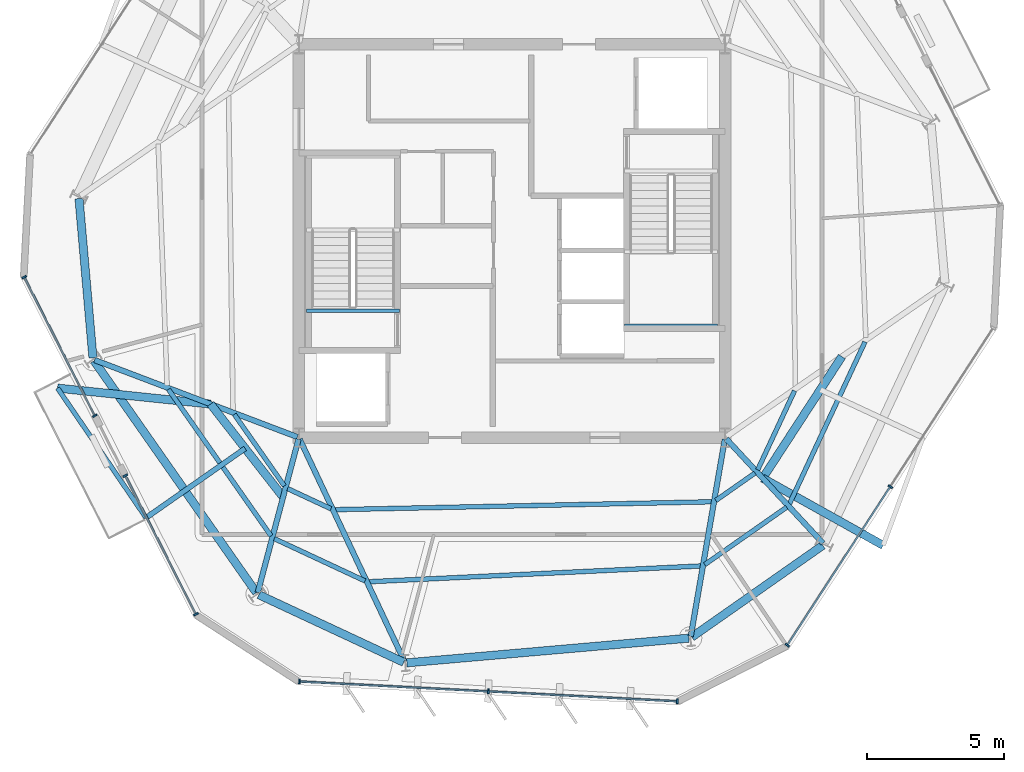
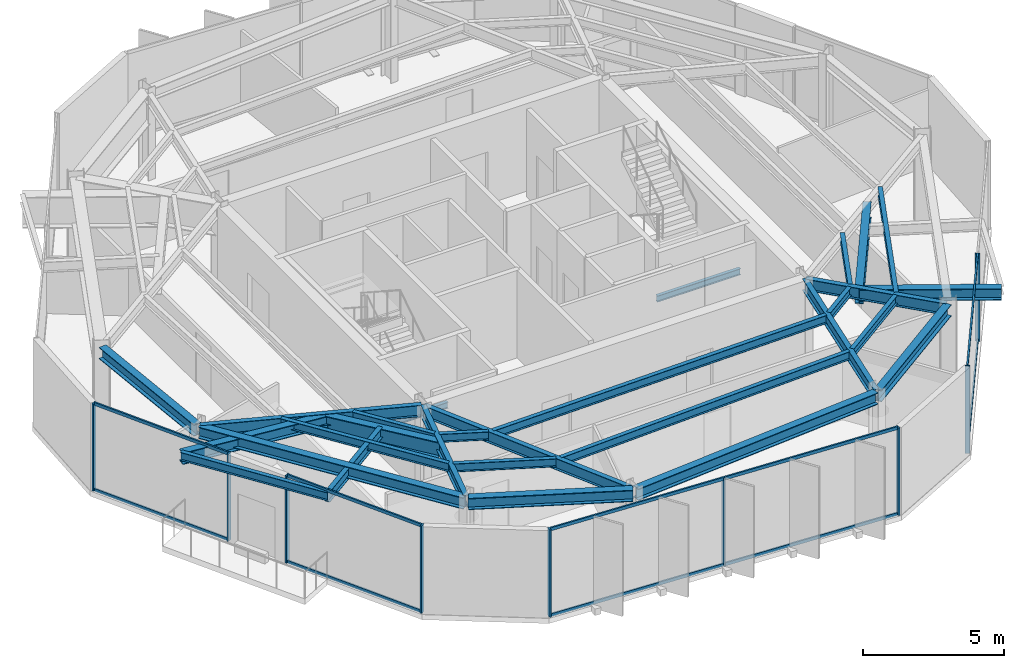
# One storey, part 2 of 11: 28 beams, 19 members, 4 elements without a shape of their own.
"""IFC4 building model written with IfcOpenShell, lengths in metres."""

from ifc_helpers import new_model, si_unit, direction, frame, origin, origin_2d, place, context, subcontext, project, spatial, rectangle, i_section, extrude, material, layer, layer_set, material_profile, profile_set, type_object, element, aggregate, save


model = new_model("IFC4")

# Units and contexts
model_context = context("Model", 3, precision=1e-05, world=origin(), true_north=direction((0.0, 1.0)))
body_context = subcontext(model_context, "Body", "Model", "MODEL_VIEW")
ifc_project = project(units=[si_unit("LENGTHUNIT", "METRE"), si_unit("AREAUNIT", "SQUARE_METRE"), si_unit("VOLUMEUNIT", "CUBIC_METRE"), si_unit("PLANEANGLEUNIT", "RADIAN"), si_unit("MASSUNIT", "GRAM", prefix="KILO")], contexts=[model_context])

# Site, building, storey
site_placement = place(None, origin())
site = spatial("IfcSite", under=ifc_project, at=site_placement, CompositionType="ELEMENT")
building_placement = place(site_placement, origin())
building = spatial("IfcBuilding", under=site, at=building_placement, Name="Kranzbogen Civic Tower", CompositionType="ELEMENT")
storey_placement = place(building_placement, frame((0.0, 0.0, 254.199951171875)))
storey = spatial("IfcBuildingStorey", under=building, at=storey_placement, Name="L61", CompositionType="ELEMENT", Elevation=254.199951171875)

# Beam
ifc_material_1 = material(Name="Steel S355", Category="steel")
ifc_material_profile_1 = material_profile(ifc_material_1, i_section(OverallWidth=0.18994140625, OverallDepth=0.449951171875, WebThickness=0.009521484375, FlangeThickness=0.0146484375, at=origin_2d()), Name="IPE 450")
ifc_profile_set_1 = profile_set([ifc_material_profile_1], Name="Steel S355")
beam_type_1 = type_object("IfcBeamType", Name="Braced Terrace Edge Beam IPE 450", PredefinedType="BEAM", material=ifc_profile_set_1)
beam_1_placement = place(storey_placement, frame((15.23193359375, 17.405029296875, 3.4951171875), z_axis=(-0.819180120445, -0.573536337356, 0.0), x_axis=(0.573536337356, -0.819180120445, 0.0)))
element("IfcBeam", 1, at=beam_1_placement, inside=storey, type_object=beam_type_1, Name="L62 back-spanned terrace beam L62-ST-2", PredefinedType="BEAM", context=body_context, shape_type="SweptSolid", body=[
    extrude(i_section(OverallWidth=0.18994140625, OverallDepth=0.449951171875, WebThickness=0.009521484375, FlangeThickness=0.0146484375, at=origin_2d()), origin(), (0.0, 0.0, 1.0), 4.4287109375),
])

# Curtain wall, members
ifc_material_2 = material(Name="Pale Anodised Aluminium", Category="aluminium")
ifc_layer = layer(ifc_material_2, 0.219970703125, Name="Pale Anodised Aluminium")
ifc_layer_set = layer_set([ifc_layer], Name="Pale Anodised Aluminium")
curtain_wall_type = type_object("IfcCurtainWallType", Name="Zone 4 Stick Curtain Wall System CW-05", PredefinedType="USERDEFINED", material=ifc_layer_set)
curtain_wall_1_placement = place(storey_placement, origin())
curtain_wall_1 = element("IfcCurtainWall", 2, at=curtain_wall_1_placement, inside=storey, type_object=curtain_wall_type, Name="L61 curtain wall CW-L61-F3-S1", ObjectType="STICK CURTAIN WALL", PredefinedType="USERDEFINED")
ifc_material_profile_2 = material_profile(ifc_material_2, rectangle(XDim=0.06494140625, YDim=0.179931640625, at=origin_2d()), Name="ALU-M 65x180")
ifc_profile_set_2 = profile_set([ifc_material_profile_2], Name="Pale Anodised Aluminium")
member_type_1 = type_object("IfcMemberType", Name="Curtain Wall Mullion ALU-M 65x180", PredefinedType="MULLION", material=ifc_profile_set_2)
member_1_placement = place(storey_placement, frame((7.1435546875, 23.67431640625, 0.0), z_axis=(0.0, 0.0, 1.0), x_axis=(0.454011672668, -0.890995735726, 0.0)))
member_1 = element("IfcMember", 3, at=member_1_placement, type_object=member_type_1, Name="CW-05 mullion 1", PredefinedType="MULLION", context=body_context, shape_type="SweptSolid", body=[
    extrude(rectangle(XDim=0.06494140625, YDim=0.179931640625, at=origin_2d()), origin(), (0.0, 0.0, 1.0), 3.780029296875),
])
member_2_placement = place(storey_placement, frame((9.7294921875, 18.599609375, 0.0), z_axis=(0.0, 0.0, 1.0), x_axis=(0.454011672668, -0.890995735726, 0.0)))
member_2 = element("IfcMember", 4, at=member_2_placement, type_object=member_type_1, Name="CW-05 mullion 2", PredefinedType="MULLION", context=body_context, shape_type="SweptSolid", body=[
    extrude(rectangle(XDim=0.06494140625, YDim=0.179931640625, at=origin_2d()), origin(), (0.0, 0.0, 1.0), 3.780029296875),
])

curtain_wall_2_placement = place(storey_placement, origin())
curtain_wall_2 = element("IfcCurtainWall", 5, at=curtain_wall_2_placement, inside=storey, type_object=curtain_wall_type, Name="L61 curtain wall CW-L61-F3-S2", ObjectType="STICK CURTAIN WALL", PredefinedType="USERDEFINED")
member_3_placement = place(storey_placement, frame((10.845703125, 16.408203125, 0.0), z_axis=(0.0, 0.0, 1.0), x_axis=(0.453941395905, -0.891031542138, 0.0)))
member_3 = element("IfcMember", 6, at=member_3_placement, type_object=member_type_1, Name="CW-05 mullion 1", PredefinedType="MULLION", context=body_context, shape_type="SweptSolid", body=[
    extrude(rectangle(XDim=0.06494140625, YDim=0.179931640625, at=origin_2d()), origin(), (0.0, 0.0, 1.0), 3.780029296875),
])
member_4_placement = place(storey_placement, frame((13.431396484375, 11.332763671875, 0.0), z_axis=(0.0, 0.0, 1.0), x_axis=(0.453941395905, -0.891031542138, 0.0)))
member_4 = element("IfcMember", 7, at=member_4_placement, type_object=member_type_1, Name="CW-05 mullion 2", PredefinedType="MULLION", context=body_context, shape_type="SweptSolid", body=[
    extrude(rectangle(XDim=0.06494140625, YDim=0.179931640625, at=origin_2d()), origin(), (0.0, 0.0, 1.0), 3.780029296875),
])

curtain_wall_3_placement = place(storey_placement, origin())
curtain_wall_3 = element("IfcCurtainWall", 8, at=curtain_wall_3_placement, inside=storey, type_object=curtain_wall_type, Name="L61 curtain wall CW-L61-F4", ObjectType="STICK CURTAIN WALL", PredefinedType="USERDEFINED")
member_5_placement = place(storey_placement, frame((17.219970703125, 8.872314453125, 0.0), z_axis=(0.0, 0.0, 1.0), x_axis=(0.998629521461, -0.052336209893, 0.0)))
member_5 = element("IfcMember", 9, at=member_5_placement, type_object=member_type_1, Name="CW-05 mullion 1", PredefinedType="MULLION", context=body_context, shape_type="SweptSolid", body=[
    extrude(rectangle(XDim=0.06494140625, YDim=0.179931640625, at=origin_2d()), origin(), (0.0, 0.0, 1.0), 3.780029296875),
])
member_6_placement = place(storey_placement, frame((24.135498046875, 8.510009765625, 0.0), z_axis=(0.0, 0.0, 1.0), x_axis=(0.998629521461, -0.052336209893, 0.0)))
member_6 = element("IfcMember", 10, at=member_6_placement, type_object=member_type_1, Name="CW-05 mullion 2", PredefinedType="MULLION", context=body_context, shape_type="SweptSolid", body=[
    extrude(rectangle(XDim=0.06494140625, YDim=0.179931640625, at=origin_2d()), origin(), (0.0, 0.0, 1.0), 3.780029296875),
])
member_7_placement = place(storey_placement, frame((31.051025390625, 8.1474609375, 0.0), z_axis=(0.0, 0.0, 1.0), x_axis=(0.998629521461, -0.052336209893, 0.0)))
member_7 = element("IfcMember", 11, at=member_7_placement, type_object=member_type_1, Name="CW-05 mullion 3", PredefinedType="MULLION", context=body_context, shape_type="SweptSolid", body=[
    extrude(rectangle(XDim=0.06494140625, YDim=0.179931640625, at=origin_2d()), origin(), (0.0, 0.0, 1.0), 3.780029296875),
])

curtain_wall_4_placement = place(storey_placement, origin())
curtain_wall_4 = element("IfcCurtainWall", 12, at=curtain_wall_4_placement, inside=storey, type_object=curtain_wall_type, Name="L61 curtain wall CW-L61-F5", ObjectType="STICK CURTAIN WALL", PredefinedType="USERDEFINED")
member_8_placement = place(storey_placement, frame((35.076416015625, 10.1982421875, 0.0), z_axis=(0.0, 0.0, 1.0), x_axis=(0.544657317977, 0.838658694568, 0.0)))
member_8 = element("IfcMember", 13, at=member_8_placement, type_object=member_type_1, Name="CW-05 mullion 1", PredefinedType="MULLION", context=body_context, shape_type="SweptSolid", body=[
    extrude(rectangle(XDim=0.06494140625, YDim=0.179931640625, at=origin_2d()), origin(), (0.0, 0.0, 1.0), 3.780029296875),
])
member_9_placement = place(storey_placement, frame((38.848388671875, 16.006591796875, 0.0), z_axis=(0.0, 0.0, 1.0), x_axis=(0.544657317977, 0.838658694568, 0.0)))
member_9 = element("IfcMember", 14, at=member_9_placement, type_object=member_type_1, Name="CW-05 mullion 2", PredefinedType="MULLION", context=body_context, shape_type="SweptSolid", body=[
    extrude(rectangle(XDim=0.06494140625, YDim=0.179931640625, at=origin_2d()), origin(), (0.0, 0.0, 1.0), 3.780029296875),
])

# Member
ifc_material_profile_3 = material_profile(ifc_material_2, rectangle(XDim=0.06494140625, YDim=0.135009765625, at=origin_2d()), Name="ALU-T 65x135")
ifc_profile_set_3 = profile_set([ifc_material_profile_3], Name="Pale Anodised Aluminium")
member_type_2 = type_object("IfcMemberType", Name="Curtain Wall Transom ALU-T 65x135", PredefinedType="USERDEFINED", material=ifc_profile_set_3)
member_10_placement = place(storey_placement, frame((7.1572265625, 23.6474609375, 0.030029296875), z_axis=(0.454028319233, -0.890987253183, 0.0), x_axis=(0.890987253183, 0.454028319233, 0.0)))
member_10 = element("IfcMember", 15, at=member_10_placement, type_object=member_type_2, Name="CW-05 transom 1.1", ObjectType="TRANSOM", PredefinedType="USERDEFINED", context=body_context, shape_type="SweptSolid", body=[
    extrude(rectangle(XDim=0.06494140625, YDim=0.135009765625, at=origin_2d()), origin(), (0.0, 0.0, 1.0), 5.63525390625),
])

member_11_placement = place(storey_placement, frame((7.1572265625, 23.6474609375, 3.75), z_axis=(0.454028319233, -0.890987253183, 0.0), x_axis=(0.890987253183, 0.454028319233, 0.0)))
member_11 = element("IfcMember", 16, at=member_11_placement, type_object=member_type_2, Name="CW-05 transom 1.2", ObjectType="TRANSOM", PredefinedType="USERDEFINED", context=body_context, shape_type="SweptSolid", body=[
    extrude(rectangle(XDim=0.06494140625, YDim=0.135009765625, at=origin_2d()), origin(), (0.0, 0.0, 1.0), 5.63525390625),
])

aggregate(curtain_wall_1, [member_1, member_2, member_10, member_11])

member_12_placement = place(storey_placement, frame((10.859130859375, 16.381591796875, 0.030029296875), z_axis=(0.453940705303, -0.891031893968, 0.0), x_axis=(0.891031893968, 0.453940705303, 0.0)))
member_12 = element("IfcMember", 17, at=member_12_placement, type_object=member_type_2, Name="CW-05 transom 1.1", ObjectType="TRANSOM", PredefinedType="USERDEFINED", context=body_context, shape_type="SweptSolid", body=[
    extrude(rectangle(XDim=0.06494140625, YDim=0.135009765625, at=origin_2d()), origin(), (0.0, 0.0, 1.0), 5.636474609375),
])

member_13_placement = place(storey_placement, frame((10.859130859375, 16.381591796875, 3.75), z_axis=(0.453940705303, -0.891031893968, 0.0), x_axis=(0.891031893968, 0.453940705303, 0.0)))
member_13 = element("IfcMember", 18, at=member_13_placement, type_object=member_type_2, Name="CW-05 transom 1.2", ObjectType="TRANSOM", PredefinedType="USERDEFINED", context=body_context, shape_type="SweptSolid", body=[
    extrude(rectangle(XDim=0.06494140625, YDim=0.135009765625, at=origin_2d()), origin(), (0.0, 0.0, 1.0), 5.636474609375),
])

aggregate(curtain_wall_2, [member_3, member_4, member_12, member_13])

member_14_placement = place(storey_placement, frame((17.25, 8.870849609375, 0.030029296875), z_axis=(0.998628810584, -0.052349772407, 0.0), x_axis=(0.052349772407, 0.998628810584, 0.0)))
member_14 = element("IfcMember", 19, at=member_14_placement, type_object=member_type_2, Name="CW-05 transom 1.1", ObjectType="TRANSOM", PredefinedType="USERDEFINED", context=body_context, shape_type="SweptSolid", body=[
    extrude(rectangle(XDim=0.06494140625, YDim=0.135009765625, at=origin_2d()), origin(), (0.0, 0.0, 1.0), 6.864990234375),
])

member_15_placement = place(storey_placement, frame((17.25, 8.870849609375, 3.75), z_axis=(0.998628810584, -0.052349772407, 0.0), x_axis=(0.052349772407, 0.998628810584, 0.0)))
member_15 = element("IfcMember", 20, at=member_15_placement, type_object=member_type_2, Name="CW-05 transom 1.2", ObjectType="TRANSOM", PredefinedType="USERDEFINED", context=body_context, shape_type="SweptSolid", body=[
    extrude(rectangle(XDim=0.06494140625, YDim=0.135009765625, at=origin_2d()), origin(), (0.0, 0.0, 1.0), 6.864990234375),
])

member_16_placement = place(storey_placement, frame((24.16552734375, 8.508544921875, 0.030029296875), z_axis=(0.998628810584, -0.052349772407, 0.0), x_axis=(0.052349772407, 0.998628810584, 0.0)))
member_16 = element("IfcMember", 21, at=member_16_placement, type_object=member_type_2, Name="CW-05 transom 2.1", ObjectType="TRANSOM", PredefinedType="USERDEFINED", context=body_context, shape_type="SweptSolid", body=[
    extrude(rectangle(XDim=0.06494140625, YDim=0.135009765625, at=origin_2d()), origin(), (0.0, 0.0, 1.0), 6.864990234375),
])

member_17_placement = place(storey_placement, frame((24.16552734375, 8.508544921875, 3.75), z_axis=(0.998628810584, -0.052349772407, 0.0), x_axis=(0.052349772407, 0.998628810584, 0.0)))
member_17 = element("IfcMember", 22, at=member_17_placement, type_object=member_type_2, Name="CW-05 transom 2.2", ObjectType="TRANSOM", PredefinedType="USERDEFINED", context=body_context, shape_type="SweptSolid", body=[
    extrude(rectangle(XDim=0.06494140625, YDim=0.135009765625, at=origin_2d()), origin(), (0.0, 0.0, 1.0), 6.864990234375),
])

aggregate(curtain_wall_3, [member_5, member_6, member_7, member_14, member_15, member_16, member_17])

member_18_placement = place(storey_placement, frame((35.0927734375, 10.223388671875, 0.030029296875), z_axis=(0.544657090741, 0.838658842144, 0.0), x_axis=(-0.838658842144, 0.544657090741, 0.0)))
member_18 = element("IfcMember", 23, at=member_18_placement, type_object=member_type_2, Name="CW-05 transom 1.1", ObjectType="TRANSOM", PredefinedType="USERDEFINED", context=body_context, shape_type="SweptSolid", body=[
    extrude(rectangle(XDim=0.06494140625, YDim=0.135009765625, at=origin_2d()), origin(), (0.0, 0.0, 1.0), 6.86572265625),
])

member_19_placement = place(storey_placement, frame((35.0927734375, 10.223388671875, 3.75), z_axis=(0.544657090741, 0.838658842144, 0.0), x_axis=(-0.838658842144, 0.544657090741, 0.0)))
member_19 = element("IfcMember", 24, at=member_19_placement, type_object=member_type_2, Name="CW-05 transom 1.2", ObjectType="TRANSOM", PredefinedType="USERDEFINED", context=body_context, shape_type="SweptSolid", body=[
    extrude(rectangle(XDim=0.06494140625, YDim=0.135009765625, at=origin_2d()), origin(), (0.0, 0.0, 1.0), 6.86572265625),
])

aggregate(curtain_wall_4, [member_8, member_9, member_18, member_19])

# Beams
ifc_material_profile_4 = material_profile(ifc_material_1, i_section(OverallWidth=0.300048828125, OverallDepth=0.5, WebThickness=0.014404296875, FlangeThickness=0.028076171875, at=origin_2d()), Name="HEB 500")
ifc_profile_set_4 = profile_set([ifc_material_profile_4], Name="Steel S355")
beam_type_2 = type_object("IfcBeamType", Name="Perimeter Tube Spandrel Beam HEB 500", PredefinedType="SPANDREL", material=ifc_profile_set_4)
beam_2_placement = place(storey_placement, frame((9.699951171875, 20.612060546875, 3.530029296875), z_axis=(0.573577759301, -0.819151117948, 0.0), x_axis=(0.819151117948, 0.573577759301, 0.0)))
element("IfcBeam", 25, at=beam_2_placement, inside=storey, type_object=beam_type_2, Name="L61 perimeter spandrel beam 01", PredefinedType="SPANDREL", context=body_context, shape_type="SweptSolid", body=[
    extrude(i_section(OverallWidth=0.300048828125, OverallDepth=0.5, WebThickness=0.014404296875, FlangeThickness=0.028076171875, at=origin_2d()), origin(), (0.0, 0.0, 1.0), 10.36328125),
])
beam_3_placement = place(storey_placement, frame((15.73193359375, 12.049072265625, 3.530029296875), z_axis=(0.906289661556, -0.422657129784, 0.0), x_axis=(0.422657129784, 0.906289661556, 0.0)))
element("IfcBeam", 26, at=beam_3_placement, inside=storey, type_object=beam_type_2, Name="L61 perimeter spandrel beam 02", PredefinedType="SPANDREL", context=body_context, shape_type="SweptSolid", body=[
    extrude(i_section(OverallWidth=0.300048828125, OverallDepth=0.5, WebThickness=0.014404296875, FlangeThickness=0.028076171875, at=origin_2d()), origin(), (0.0, 0.0, 1.0), 5.853759765625),
])
beam_4_placement = place(storey_placement, frame((21.15087890625, 9.554931640625, 3.530029296875), z_axis=(0.996186373839, 0.087250837114, 0.0), x_axis=(-0.087250837114, 0.996186373839, 0.0)))
element("IfcBeam", 27, at=beam_4_placement, inside=storey, type_object=beam_type_2, Name="L61 perimeter spandrel beam 03", PredefinedType="SPANDREL", context=body_context, shape_type="SweptSolid", body=[
    extrude(i_section(OverallWidth=0.300048828125, OverallDepth=0.5, WebThickness=0.014404296875, FlangeThickness=0.028076171875, at=origin_2d()), origin(), (0.0, 0.0, 1.0), 10.361572265625),
])
beam_5_placement = place(storey_placement, frame((31.58203125, 10.498046875, 3.530029296875), z_axis=(0.819059436004, 0.57370867197, 0.0), x_axis=(-0.57370867197, 0.819059436004, 0.0)))
element("IfcBeam", 28, at=beam_5_placement, inside=storey, type_object=beam_type_2, Name="L61 perimeter spandrel beam 04", PredefinedType="SPANDREL", context=body_context, shape_type="SweptSolid", body=[
    extrude(i_section(OverallWidth=0.300048828125, OverallDepth=0.5, WebThickness=0.014404296875, FlangeThickness=0.028076171875, at=origin_2d()), origin(), (0.0, 0.0, 1.0), 5.85302734375),
])
beam_6_placement = place(storey_placement, frame((9.14990234375, 26.550048828125, 3.530029296875), z_axis=(0.087326362434, -0.99617975608, 0.0), x_axis=(0.99617975608, 0.087326362434, 0.0)))
element("IfcBeam", 29, at=beam_6_placement, inside=storey, type_object=beam_type_2, Name="L61 perimeter spandrel beam 12", PredefinedType="SPANDREL", context=body_context, shape_type="SweptSolid", body=[
    extrude(i_section(OverallWidth=0.300048828125, OverallDepth=0.5, WebThickness=0.014404296875, FlangeThickness=0.028076171875, at=origin_2d()), origin(), (0.0, 0.0, 1.0), 5.8515625),
])
beam_7_placement = place(storey_placement, frame((34.177001953125, 16.31396484375, 3.5), z_axis=(0.873442564451, -0.486927188197, 0.0), x_axis=(0.486927188197, 0.873442564451, 0.0)))
element("IfcBeam", 30, at=beam_7_placement, inside=storey, type_object=beam_type_2, Name="L62 back-spanned terrace beam L62-TB1-1", PredefinedType="SPANDREL", context=body_context, shape_type="SweptSolid", body=[
    extrude(i_section(OverallWidth=0.300048828125, OverallDepth=0.5, WebThickness=0.014404296875, FlangeThickness=0.028076171875, at=origin_2d()), origin(), (0.0, 0.0, 1.0), 5.050048828125),
])
beam_8_placement = place(storey_placement, frame((13.966064453125, 19.028076171875, 3.469970703125), z_axis=(-0.994612266476, 0.103665034484, 0.0), x_axis=(-0.103665034484, -0.994612266476, 0.0)))
element("IfcBeam", 31, at=beam_8_placement, inside=storey, type_object=beam_type_2, Name="L62 back-spanned terrace beam L62-ST-1", PredefinedType="SPANDREL", context=body_context, shape_type="SweptSolid", body=[
    extrude(i_section(OverallWidth=0.300048828125, OverallDepth=0.5, WebThickness=0.014404296875, FlangeThickness=0.028076171875, at=origin_2d()), origin(), (0.0, 0.0, 1.0), 5.63330078125),
])
ifc_material_profile_5 = material_profile(ifc_material_1, i_section(OverallWidth=0.300048828125, OverallDepth=0.699951171875, WebThickness=0.01708984375, FlangeThickness=0.031982421875, at=origin_2d()), Name="HEB 700")
ifc_profile_set_5 = profile_set([ifc_material_profile_5], Name="Steel S355")
beam_type_3 = type_object("IfcBeamType", Name="Perimeter Tube Spandrel Beam HEB 700", PredefinedType="SPANDREL", material=ifc_profile_set_5)
beam_9_placement = place(storey_placement, frame((34.177001953125, 16.31396484375, 3.400146484375), z_axis=(0.54556961734, 0.838065506172, 0.0), x_axis=(-0.838065506172, 0.54556961734, 0.0)))
element("IfcBeam", 32, at=beam_9_placement, inside=storey, type_object=beam_type_3, Name="L62 balcony back-span header girder L62-TB1", PredefinedType="SPANDREL", context=body_context, shape_type="SweptSolid", body=[
    extrude(i_section(OverallWidth=0.300048828125, OverallDepth=0.699951171875, WebThickness=0.01708984375, FlangeThickness=0.031982421875, at=origin_2d()), origin(), (0.0, 0.0, 1.0), 5.3134765625),
])
beam_10_placement = place(storey_placement, frame((13.966064453125, 19.028076171875, 3.3701171875), z_axis=(0.615153431403, -0.788407417414, 0.0), x_axis=(0.788407417414, 0.615153431403, 0.0)))
element("IfcBeam", 33, at=beam_10_placement, inside=storey, type_object=beam_type_3, Name="L62 balcony back-span header girder L62-ST", PredefinedType="SPANDREL", context=body_context, shape_type="SweptSolid", body=[
    extrude(i_section(OverallWidth=0.300048828125, OverallDepth=0.699951171875, WebThickness=0.01708984375, FlangeThickness=0.031982421875, at=origin_2d()), origin(), (0.0, 0.0, 1.0), 4.317626953125),
])
ifc_material_profile_6 = material_profile(ifc_material_1, i_section(OverallWidth=0.199951171875, OverallDepth=0.5, WebThickness=0.01025390625, FlangeThickness=0.01611328125, at=origin_2d()), Name="IPE 500")
ifc_profile_set_6 = profile_set([ifc_material_profile_6], Name="Steel S355")
beam_type_4 = type_object("IfcBeamType", Name="Radial Tower Floor Girder IPE 500", PredefinedType="BEAM", material=ifc_profile_set_6)
beam_11_placement = place(storey_placement, frame((9.721923828125, 20.639892578125, 3.530029296875), z_axis=(0.934848709689, -0.355046320913, 0.0), x_axis=(0.355046320913, 0.934848709689, 0.0)))
element("IfcBeam", 34, at=beam_11_placement, inside=storey, type_object=beam_type_4, Name="L61 radial floor girder 01", PredefinedType="BEAM", context=body_context, shape_type="SweptSolid", body=[
    extrude(i_section(OverallWidth=0.199951171875, OverallDepth=0.5, WebThickness=0.01025390625, FlangeThickness=0.01611328125, at=origin_2d()), origin(), (0.0, 0.0, 1.0), 7.939453125),
])
beam_12_placement = place(storey_placement, frame((15.693115234375, 12.132080078125, 3.530029296875), z_axis=(0.257016017622, 0.966407143333, 0.0), x_axis=(-0.966407143333, 0.257016017622, 0.0)))
element("IfcBeam", 35, at=beam_12_placement, inside=storey, type_object=beam_type_4, Name="L61 radial floor girder 02", PredefinedType="BEAM", context=body_context, shape_type="SweptSolid", body=[
    extrude(i_section(OverallWidth=0.199951171875, OverallDepth=0.5, WebThickness=0.01025390625, FlangeThickness=0.01611328125, at=origin_2d()), origin(), (0.0, 0.0, 1.0), 5.804931640625),
])
beam_13_placement = place(storey_placement, frame((21.06494140625, 9.60400390625, 3.530029296875), z_axis=(-0.426460441273, 0.904506214478, 0.0), x_axis=(-0.904506214478, -0.426460441273, 0.0)))
element("IfcBeam", 36, at=beam_13_placement, inside=storey, type_object=beam_type_4, Name="L61 radial floor girder 03", PredefinedType="BEAM", context=body_context, shape_type="SweptSolid", body=[
    extrude(i_section(OverallWidth=0.199951171875, OverallDepth=0.5, WebThickness=0.01025390625, FlangeThickness=0.01611328125, at=origin_2d()), origin(), (0.0, 0.0, 1.0), 9.001708984375),
])
beam_14_placement = place(storey_placement, frame((31.54296875, 10.52294921875, 3.530029296875), z_axis=(0.170249558486, 0.985400978199, 0.0), x_axis=(-0.985400978199, 0.170249558486, 0.0)))
element("IfcBeam", 37, at=beam_14_placement, inside=storey, type_object=beam_type_4, Name="L61 radial floor girder 04", PredefinedType="BEAM", context=body_context, shape_type="SweptSolid", body=[
    extrude(i_section(OverallWidth=0.199951171875, OverallDepth=0.5, WebThickness=0.01025390625, FlangeThickness=0.01611328125, at=origin_2d()), origin(), (0.0, 0.0, 1.0), 7.324951171875),
])
beam_15_placement = place(storey_placement, frame((36.384033203125, 13.93408203125, 3.530029296875), z_axis=(-0.679827353702, 0.733372190064, 0.0), x_axis=(-0.733372190064, -0.679827353702, 0.0)))
element("IfcBeam", 38, at=beam_15_placement, inside=storey, type_object=beam_type_4, Name="L61 radial floor girder 05", PredefinedType="BEAM", context=body_context, shape_type="SweptSolid", body=[
    extrude(i_section(OverallWidth=0.199951171875, OverallDepth=0.5, WebThickness=0.01025390625, FlangeThickness=0.01611328125, at=origin_2d()), origin(), (0.0, 0.0, 1.0), 5.211669921875),
])
ifc_material_profile_7 = material_profile(ifc_material_1, i_section(OverallWidth=0.169921875, OverallDepth=0.360107421875, WebThickness=0.008056640625, FlangeThickness=0.0126953125, at=origin_2d()), Name="IPE 360")
ifc_profile_set_7 = profile_set([ifc_material_profile_7], Name="Steel S355")
beam_type_5 = type_object("IfcBeamType", Name="Secondary Composite Floor Joist IPE 360", PredefinedType="JOIST", material=ifc_profile_set_7)
beam_16_placement = place(storey_placement, frame((12.424072265625, 19.56591796875, 3.60009765625), z_axis=(0.573499872939, -0.819205649235, 0.0), x_axis=(0.819205649235, 0.573499872939, 0.0)))
element("IfcBeam", 39, at=beam_16_placement, inside=storey, type_object=beam_type_5, Name="L61 secondary floor joist 1.01", PredefinedType="JOIST", context=body_context, shape_type="SweptSolid", body=[
    extrude(i_section(OverallWidth=0.169921875, OverallDepth=0.360107421875, WebThickness=0.008056640625, FlangeThickness=0.0126953125, at=origin_2d()), origin(), (0.0, 0.0, 1.0), 6.549072265625),
])
beam_17_placement = place(storey_placement, frame((14.8349609375, 18.64990234375, 3.60009765625), z_axis=(0.573498248491, -0.819206786457, 0.0), x_axis=(0.819206786457, 0.573498248491, 0.0)))
element("IfcBeam", 40, at=beam_17_placement, inside=storey, type_object=beam_type_5, Name="L61 secondary floor joist 2.01", PredefinedType="JOIST", context=body_context, shape_type="SweptSolid", body=[
    extrude(i_section(OverallWidth=0.169921875, OverallDepth=0.360107421875, WebThickness=0.008056640625, FlangeThickness=0.0126953125, at=origin_2d()), origin(), (0.0, 0.0, 1.0), 3.194580078125),
])
beam_18_placement = place(storey_placement, frame((16.298095703125, 14.10205078125, 3.60009765625), z_axis=(0.906303996948, -0.422626389517, 0.0), x_axis=(0.422626389517, 0.906303996948, 0.0)))
element("IfcBeam", 41, at=beam_18_placement, inside=storey, type_object=beam_type_5, Name="L61 secondary floor joist 1.02", PredefinedType="JOIST", context=body_context, shape_type="SweptSolid", body=[
    extrude(i_section(OverallWidth=0.169921875, OverallDepth=0.360107421875, WebThickness=0.008056640625, FlangeThickness=0.0126953125, at=origin_2d()), origin(), (0.0, 0.0, 1.0), 3.6630859375),
])
beam_19_placement = place(storey_placement, frame((16.784912109375, 15.93408203125, 3.60009765625), z_axis=(0.906432174342, -0.422351409751, 0.0), x_axis=(0.422351409751, 0.906432174342, 0.0)))
element("IfcBeam", 42, at=beam_19_placement, inside=storey, type_object=beam_type_5, Name="L61 secondary floor joist 2.02", PredefinedType="JOIST", context=body_context, shape_type="SweptSolid", body=[
    extrude(i_section(OverallWidth=0.169921875, OverallDepth=0.360107421875, WebThickness=0.008056640625, FlangeThickness=0.0126953125, at=origin_2d()), origin(), (0.0, 0.0, 1.0), 1.751953125),
])
beam_20_placement = place(storey_placement, frame((19.77001953125, 12.52392578125, 3.60009765625), z_axis=(0.998871634781, 0.047491654324, 0.0), x_axis=(-0.047491654324, 0.998871634781, 0.0)))
element("IfcBeam", 43, at=beam_20_placement, inside=storey, type_object=beam_type_5, Name="L61 secondary floor joist 1.03", PredefinedType="JOIST", context=body_context, shape_type="SweptSolid", body=[
    extrude(i_section(OverallWidth=0.169921875, OverallDepth=0.360107421875, WebThickness=0.008056640625, FlangeThickness=0.0126953125, at=origin_2d()), origin(), (0.0, 0.0, 1.0), 12.152587890625),
])
beam_21_placement = place(storey_placement, frame((18.52490234375, 15.162109375, 3.60009765625), z_axis=(0.999780746893, 0.020939392104, 0.0), x_axis=(-0.020939392104, 0.999780746893, 0.0)))
element("IfcBeam", 44, at=beam_21_placement, inside=storey, type_object=beam_type_5, Name="L61 secondary floor joist 2.03", PredefinedType="JOIST", context=body_context, shape_type="SweptSolid", body=[
    extrude(i_section(OverallWidth=0.169921875, OverallDepth=0.360107421875, WebThickness=0.008056640625, FlangeThickness=0.0126953125, at=origin_2d()), origin(), (0.0, 0.0, 1.0), 13.79296875),
])
beam_22_placement = place(storey_placement, frame((32.054931640625, 13.15087890625, 3.60009765625), z_axis=(0.819006333711, 0.573784476385, 0.0), x_axis=(-0.573784476385, 0.819006333711, 0.0)))
element("IfcBeam", 45, at=beam_22_placement, inside=storey, type_object=beam_type_5, Name="L61 secondary floor joist 1.04", PredefinedType="JOIST", context=body_context, shape_type="SweptSolid", body=[
    extrude(i_section(OverallWidth=0.169921875, OverallDepth=0.360107421875, WebThickness=0.008056640625, FlangeThickness=0.0126953125, at=origin_2d()), origin(), (0.0, 0.0, 1.0), 3.661865234375),
])
beam_23_placement = place(storey_placement, frame((32.4599609375, 15.498046875, 3.60009765625), z_axis=(0.818956727849, 0.573855276103, 0.0), x_axis=(-0.573855276103, 0.818956727849, 0.0)))
element("IfcBeam", 46, at=beam_23_placement, inside=storey, type_object=beam_type_5, Name="L61 secondary floor joist 2.04", PredefinedType="JOIST", context=body_context, shape_type="SweptSolid", body=[
    extrude(i_section(OverallWidth=0.169921875, OverallDepth=0.360107421875, WebThickness=0.008056640625, FlangeThickness=0.0126953125, at=origin_2d()), origin(), (0.0, 0.0, 1.0), 1.751220703125),
])
beam_24_placement = place(storey_placement, frame((35.154052734375, 15.3701171875, 3.60009765625), z_axis=(0.422542528713, 0.906343098075, 0.0), x_axis=(-0.906343098075, 0.422542528713, 0.0)))
element("IfcBeam", 47, at=beam_24_placement, inside=storey, type_object=beam_type_5, Name="L61 secondary floor joist 1.05", PredefinedType="JOIST", context=body_context, shape_type="SweptSolid", body=[
    extrude(i_section(OverallWidth=0.169921875, OverallDepth=0.360107421875, WebThickness=0.008056640625, FlangeThickness=0.0126953125, at=origin_2d()), origin(), (0.0, 0.0, 1.0), 6.548095703125),
])
beam_25_placement = place(storey_placement, frame((33.993896484375, 16.62109375, 3.60009765625), z_axis=(0.422651143991, 0.906292453065, 0.0), x_axis=(-0.906292453065, 0.422651143991, 0.0)))
element("IfcBeam", 48, at=beam_25_placement, inside=storey, type_object=beam_type_5, Name="L61 secondary floor joist 2.05", PredefinedType="JOIST", context=body_context, shape_type="SweptSolid", body=[
    extrude(i_section(OverallWidth=0.169921875, OverallDepth=0.360107421875, WebThickness=0.008056640625, FlangeThickness=0.0126953125, at=origin_2d()), origin(), (0.0, 0.0, 1.0), 3.1943359375),
])
beam_26_placement = place(storey_placement, frame((8.363037109375, 19.612060546875, 3.5400390625), z_axis=(0.56385072456, -0.825876722286, 0.0), x_axis=(0.825876722286, 0.56385072456, 0.0)))
element("IfcBeam", 49, at=beam_26_placement, inside=storey, type_object=beam_type_5, Name="L62 terrace outer edge trimmer L62-ST", PredefinedType="JOIST", context=body_context, shape_type="SweptSolid", body=[
    extrude(i_section(OverallWidth=0.169921875, OverallDepth=0.360107421875, WebThickness=0.008056640625, FlangeThickness=0.0126953125, at=origin_2d()), origin(), (0.0, 0.0, 1.0), 5.747802734375),
])
ifc_material_profile_8 = material_profile(ifc_material_1, i_section(OverallWidth=0.135009765625, OverallDepth=0.27001953125, WebThickness=0.006591796875, FlangeThickness=0.01025390625, at=origin_2d()), Name="IPE 270")
ifc_profile_set_8 = profile_set([ifc_material_profile_8], Name="Steel S355")
beam_type_6 = type_object("IfcBeamType", Name="Stair Landing Support Beam IPE 270", PredefinedType="JOIST", material=ifc_profile_set_8)
for number, where, z_axis, x_axis, name in (
    (50, (20.8798828125, 22.43994140625, -0.35498046875), (-1.0, 0.0, 0.0), (0.0, -1.0, 0.0), "L61 ST-T1 stair floor header beam"),
    (51, (29.1201171875, 21.89990234375, 1.6650390625), (1.0, 0.0, 0.0), (0.0, 1.0, 0.0), "L61 ST-T2 landing support beam 1.2"),
):
    element("IfcBeam", number, at=place(storey_placement, frame(where, z_axis=z_axis, x_axis=x_axis)), inside=storey, type_object=beam_type_6, Name=name, PredefinedType="JOIST", context=body_context, shape_type="SweptSolid", body=[
        extrude(i_section(OverallWidth=0.135009765625, OverallDepth=0.27001953125, WebThickness=0.006591796875, FlangeThickness=0.01025390625, at=origin_2d()), origin(), (0.0, 0.0, 1.0), 3.409912109375),
    ])

save(model, "model.ifc")
